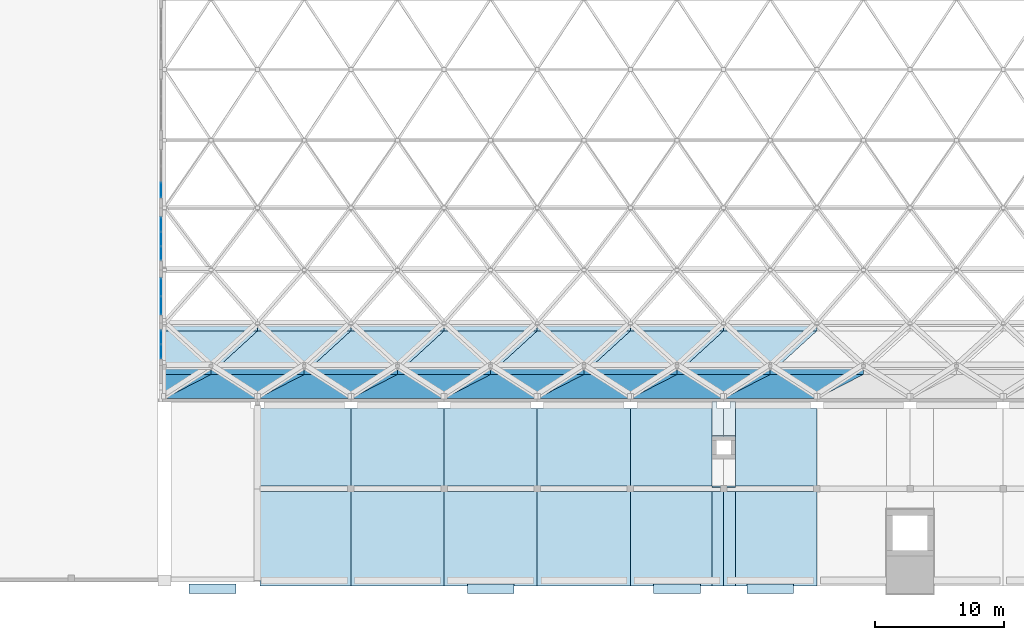
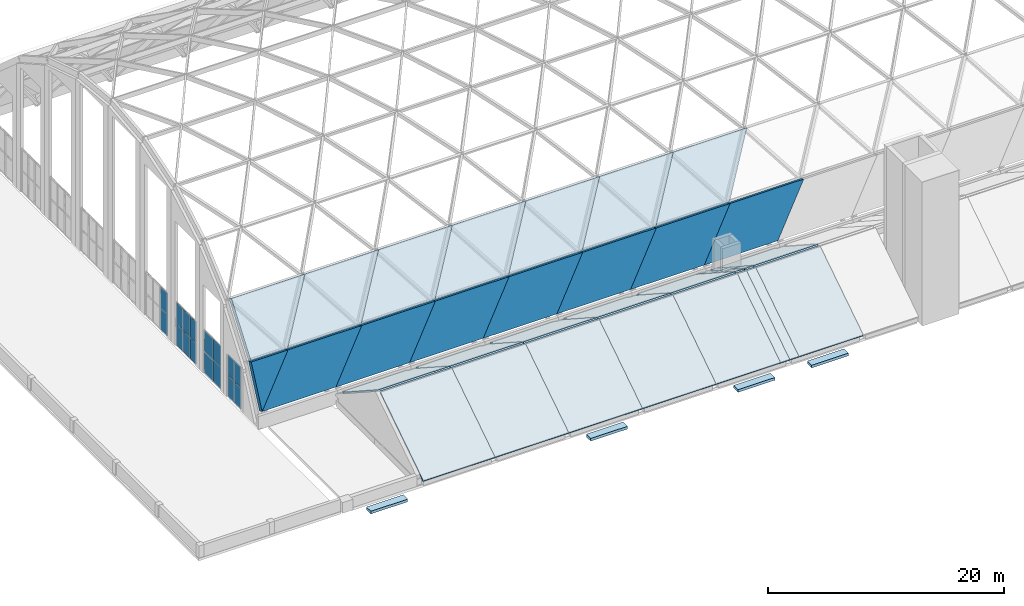
# One storey, part 25 of 52: 37 slabs, 16 plates, 4 elements without a shape of their own.
"""IFC4 building model written with IfcOpenShell, lengths in metres."""

import ifcopenshell
import ifcopenshell.guid

model = None  # the IFC model being written
_history = None  # IfcOwnerHistory: only IFC2X3 demands one
_inside = {}  # id of a spatial element -> (the spatial element, [elements in it])
_under = {}  # id of a project, library or spatial element -> (it, [spatial elements below it])
_declared = {}  # id of a project -> (the project, [libraries it declares])
_typed = {}  # id of a type object -> (the type object, [elements of that type])
_made_of = {}  # id of a material, layer set ... -> (it, [elements and type objects made of it])


def new_model(schema):
    """Start an empty IFC model of exactly this schema.

    Asked for "IFC4X3", IfcOpenShell would pick the latest addendum, in which some entities
    have other attributes; the version numbers below select the first issue.
    IFC2X3 requires an IfcOwnerHistory on every rooted entity: one is made here for all.
    """
    global model, _history
    if schema == "IFC4X3":
        model = ifcopenshell.file(schema_version=(4, 3, 0, 0))
    else:
        model = ifcopenshell.file(schema=schema)
    _inside.clear()
    _under.clear()
    _declared.clear()
    _typed.clear()
    _made_of.clear()
    _history = None
    if model.schema == "IFC2X3":
        org = make("IfcOrganization", Name="unknown")
        user = make(
            "IfcPersonAndOrganization",
            ThePerson=make("IfcPerson", FamilyName="unknown"),
            TheOrganization=org,
        )
        app = make(
            "IfcApplication",
            ApplicationDeveloper=org,
            Version="unknown",
            ApplicationFullName="unknown",
            ApplicationIdentifier="unknown",
        )
        _history = make(
            "IfcOwnerHistory",
            OwningUser=user,
            OwningApplication=app,
            ChangeAction="ADDED",
            CreationDate=0,
        )
    return model


def make(cls, **values):
    """One entity of the class cls with the attributes given. An attribute that is None is left unset."""
    return model.create_entity(
        cls, **{name: value for name, value in values.items() if value is not None}
    )


def rooted(cls, **values):
    """An entity with a GlobalId (a new one), such as an element, a storey or a relation."""
    return make(cls, GlobalId=ifcopenshell.guid.new(), OwnerHistory=_history, **values)


def si_unit(unit_type, name, prefix=None):
    """IfcSIUnit, for example si_unit("LENGTHUNIT", "METRE", prefix="MILLI")."""
    return make("IfcSIUnit", UnitType=unit_type, Prefix=prefix, Name=name)


def assignment(units):
    """IfcUnitAssignment: the units of a project."""
    return None if units is None else make("IfcUnitAssignment", Units=units)


def point(xyz):
    """IfcCartesianPoint."""
    return None if xyz is None else make("IfcCartesianPoint", Coordinates=xyz)


def direction(xyz):
    """IfcDirection."""
    return None if xyz is None else make("IfcDirection", DirectionRatios=xyz)


def frame(location, z_axis=None, x_axis=None):
    """IfcAxis2Placement3D, a coordinate frame: its origin and axes. An axis left out is left unset."""
    return make(
        "IfcAxis2Placement3D",
        Location=point(location),
        Axis=direction(z_axis),
        RefDirection=direction(x_axis),
    )


def frame_2d(location, x_axis=None):
    """IfcAxis2Placement2D, a coordinate frame in the plane: its origin and x axis."""
    return make(
        "IfcAxis2Placement2D", Location=point(location), RefDirection=direction(x_axis)
    )


def origin():
    """The frame at (0, 0, 0) with its axes left unset."""
    return frame((0.0, 0.0, 0.0))


def origin_2d():
    """The frame at (0, 0) in the plane with its x axis left unset."""
    return frame_2d((0.0, 0.0))


def place(relative_to, where):
    """IfcLocalPlacement: puts the frame where relative to a parent placement (None: the world)."""
    return make(
        "IfcLocalPlacement", PlacementRelTo=relative_to, RelativePlacement=where
    )


def context(
    kind, dimensions, precision=None, world=None, true_north=None, identifier=None
):
    """IfcGeometricRepresentationContext, for example the 3D "Model" context."""
    return make(
        "IfcGeometricRepresentationContext",
        ContextIdentifier=identifier,
        ContextType=kind,
        CoordinateSpaceDimension=dimensions,
        Precision=precision,
        WorldCoordinateSystem=world,
        TrueNorth=true_north,
    )


def subcontext(parent, identifier, kind, view, scale=None):
    """IfcGeometricRepresentationSubContext, for example "Body" below "Model"."""
    return make(
        "IfcGeometricRepresentationSubContext",
        ContextIdentifier=identifier,
        ContextType=kind,
        ParentContext=parent,
        TargetScale=scale,
        TargetView=view,
    )


def project(units=None, contexts=None):
    """IfcProject with its units and contexts."""
    return rooted(
        "IfcProject",
        Name="project",
        RepresentationContexts=contexts,
        UnitsInContext=assignment(units),
    )


def spatial(cls, under=None, at=None, **own):
    """A site, building, storey or space (cls), placed at a placement, below another one or the project."""
    s = rooted(cls, ObjectPlacement=at, **own)
    if under is not None:
        _under.setdefault(under.id(), (under, []))[1].append(s)
    return s


def polyline(points):
    """IfcPolyline through the points."""
    return make("IfcPolyline", Points=[point(p) for p in points])


def profile(cls, at=None, kind="AREA", **sizes):
    """A parametric profile (cls). Its sizes go by their IFC names, for example OverallWidth=200.0."""
    return make(cls, ProfileType=kind, Position=at, **sizes)


def rectangle(**sizes):
    """IfcRectangleProfileDef."""
    return profile("IfcRectangleProfileDef", **sizes)


def outline(outer, holes=None, kind="AREA"):
    """IfcArbitraryClosedProfileDef: a profile drawn as a closed curve; with holes, ...WithVoids."""
    if holes is None:
        return make("IfcArbitraryClosedProfileDef", ProfileType=kind, OuterCurve=outer)
    return make(
        "IfcArbitraryProfileDefWithVoids",
        ProfileType=kind,
        OuterCurve=outer,
        InnerCurves=holes,
    )


def extrude(swept, where, along, depth):
    """IfcExtrudedAreaSolid: the profile swept, set in the frame where, extruded along a direction by depth."""
    return make(
        "IfcExtrudedAreaSolid",
        SweptArea=swept,
        Position=where,
        ExtrudedDirection=direction(along),
        Depth=depth,
    )


def shape(context_of_items, identifier, shape_type, items):
    """IfcShapeRepresentation: the items that make up one representation, for example the "Body"."""
    return make(
        "IfcShapeRepresentation",
        ContextOfItems=context_of_items,
        RepresentationIdentifier=identifier,
        RepresentationType=shape_type,
        Items=items,
    )


def material(Name=None, Category=None):
    """IfcMaterial."""
    return make("IfcMaterial", Name=Name, Category=Category)


def layer(
    of_material, thickness, ventilated=None, Name=None, Category=None, Priority=None
):
    """IfcMaterialLayer: one layer of a wall or slab, of a material (None: an air gap)."""
    return make(
        "IfcMaterialLayer",
        Material=of_material,
        LayerThickness=thickness,
        IsVentilated=ventilated,
        Name=Name,
        Category=Category,
        Priority=Priority,
    )


def layer_set(layers, Name=None):
    """IfcMaterialLayerSet."""
    return make("IfcMaterialLayerSet", MaterialLayers=layers, LayerSetName=Name)


def made_of(thing, what):
    """Note that an element or type object is made of a material, layer set ...; save() writes the relation."""
    if what is not None:
        _made_of.setdefault(what.id(), (what, []))[1].append(thing)
    return thing


def type_object(cls, material=None, **own):
    """A type object (cls), such as IfcWallType, which elements share."""
    return made_of(rooted(cls, **own), material)


def element(
    cls,
    number,
    at=None,
    inside=None,
    cuts=None,
    type_object=None,
    material=None,
    context=None,
    identifier="Body",
    shape_type=None,
    held_by="IfcProductDefinitionShape",
    body=None,
    shapes=None,
    **own,
):
    """One element of the class cls, such as IfcWall. Its Tag is "e" and its number.

    at: its placement. inside: the storey or other place that contains it. cuts: it is an
    opening in that element (IfcRelVoidsElement). A single representation is given by context,
    identifier, shape_type and body (its items); several are given by shapes. held_by: the class
    of the entity that holds the representations. save() writes the other relations.
    """
    e = rooted(cls, Tag="e%d" % number, ObjectPlacement=at, **own)
    if body is not None:
        shapes = [shape(context, identifier, shape_type, body)]
    if shapes is not None:
        e.Representation = make(held_by, Representations=shapes)
    if inside is not None:
        _inside.setdefault(inside.id(), (inside, []))[1].append(e)
    if cuts is not None:
        rooted(
            "IfcRelVoidsElement", RelatingBuildingElement=cuts, RelatedOpeningElement=e
        )
    if type_object is not None:
        _typed.setdefault(type_object.id(), (type_object, []))[1].append(e)
    return made_of(e, material)


def aggregate(whole, parts):
    """IfcRelAggregates: a whole, such as a stair, and the parts it consists of."""
    return rooted("IfcRelAggregates", RelatingObject=whole, RelatedObjects=parts)


def save(model, path):
    """Write the relations noted so far, then the file.

    IfcRelAggregates (storeys below a building ...), IfcRelContainedInSpatialStructure (elements
    in a storey), IfcRelDefinesByType, IfcRelAssociatesMaterial and IfcRelDeclares: one each for
    every whole, place, type object, material and project.
    """
    for whole, parts in _under.values():
        aggregate(whole, parts)
    for where, things in _inside.values():
        rooted(
            "IfcRelContainedInSpatialStructure",
            RelatedElements=things,
            RelatingStructure=where,
        )
    for kind, things in _typed.values():
        rooted("IfcRelDefinesByType", RelatedObjects=things, RelatingType=kind)
    for what, things in _made_of.values():
        rooted("IfcRelAssociatesMaterial", RelatedObjects=things, RelatingMaterial=what)
    for by, libraries in _declared.values():
        rooted("IfcRelDeclares", RelatingContext=by, RelatedDefinitions=libraries)
    model.write(path)


model = new_model("IFC4")

# Units and contexts
model_context = context("Model", 3, precision=1e-05, world=origin(), true_north=direction((0.0, 1.0)))
body_context = subcontext(model_context, "Body", "Model", "MODEL_VIEW")
ifc_project = project(units=[si_unit("LENGTHUNIT", "METRE"), si_unit("AREAUNIT", "SQUARE_METRE"), si_unit("VOLUMEUNIT", "CUBIC_METRE"), si_unit("PLANEANGLEUNIT", "RADIAN"), si_unit("MASSUNIT", "GRAM", prefix="KILO")], contexts=[model_context])

# Site, building, storey
site_placement = place(None, origin())
site = spatial("IfcSite", under=ifc_project, at=site_placement, CompositionType="ELEMENT")
building_placement = place(site_placement, origin())
building = spatial("IfcBuilding", under=site, at=building_placement, Name="Vermilion Court Aquatics Centre", CompositionType="ELEMENT")
storey_placement = place(building_placement, frame((0.0, 0.0, 12.0)))
storey = spatial("IfcBuildingStorey", under=building, at=storey_placement, Name="L02", CompositionType="ELEMENT", Elevation=12.0)

# Curtain wall, plates
ifc_material_1 = material(Name="Aluminium 6063-T5", Category="aluminium")
curtain_wall_type = type_object("IfcCurtainWallType", Name="Envelope curtain wall west gable lower runs", PredefinedType="NOTDEFINED", material=ifc_material_1)
curtain_wall_1_placement = place(storey_placement, origin())
curtain_wall_1 = element("IfcCurtainWall", 1, at=curtain_wall_1_placement, inside=storey, type_object=curtain_wall_type, Name="Gable glazing west 2.1", PredefinedType="NOTDEFINED")
ifc_material_2 = material(Name="Glazing", Category="glass")
ifc_layer_1 = layer(ifc_material_2, 0.050048828125)
ifc_layer_set_1 = layer_set([ifc_layer_1], Name="Envelope triple glazing panel 50")
plate_type = type_object("IfcPlateType", Name="Envelope triple glazing panel 50", PredefinedType="CURTAIN_PANEL", material=ifc_layer_set_1)
plate_1_placement = place(storey_placement, frame((14.125, 17.802490234375, 0.06005859375), z_axis=(0.0, 0.0, 1.0), x_axis=(0.0, 1.0, 0.0)))
plate_1 = element("IfcPlate", 2, at=plate_1_placement, type_object=plate_type, Name="ECW3 panel 1.1", PredefinedType="CURTAIN_PANEL", context=body_context, shape_type="SweptSolid", body=[
    extrude(rectangle(XDim=1.044921875, YDim=0.050048828125, at=origin_2d()), origin(), (0.0, 0.0, 1.0), 2.128173828125),
])
plate_2_placement = place(storey_placement, frame((14.125, 17.802490234375, 2.248046875), z_axis=(0.0, 0.0, 1.0), x_axis=(0.0, 1.0, 0.0)))
plate_2 = element("IfcPlate", 3, at=plate_2_placement, type_object=plate_type, Name="ECW3 panel 1.2", PredefinedType="CURTAIN_PANEL", context=body_context, shape_type="SweptSolid", body=[
    extrude(rectangle(XDim=1.044921875, YDim=0.050048828125, at=origin_2d()), origin(), (0.0, 0.0, 1.0), 2.128173828125),
])
plate_3_placement = place(storey_placement, frame((14.125, 18.907470703125, 0.06005859375), z_axis=(0.0, 0.0, 1.0), x_axis=(0.0, 1.0, 0.0)))
plate_3 = element("IfcPlate", 4, at=plate_3_placement, type_object=plate_type, Name="ECW3 panel 2.1", PredefinedType="CURTAIN_PANEL", context=body_context, shape_type="SweptSolid", body=[
    extrude(rectangle(XDim=1.044921875, YDim=0.050048828125, at=origin_2d()), origin(), (0.0, 0.0, 1.0), 2.128173828125),
])
plate_4_placement = place(storey_placement, frame((14.125, 18.907470703125, 2.248046875), z_axis=(0.0, 0.0, 1.0), x_axis=(0.0, 1.0, 0.0)))
plate_4 = element("IfcPlate", 5, at=plate_4_placement, type_object=plate_type, Name="ECW3 panel 2.2", PredefinedType="CURTAIN_PANEL", context=body_context, shape_type="SweptSolid", body=[
    extrude(rectangle(XDim=1.044921875, YDim=0.050048828125, at=origin_2d()), origin(), (0.0, 0.0, 1.0), 2.128173828125),
])
aggregate(curtain_wall_1, [plate_1, plate_2, plate_3, plate_4])

curtain_wall_2_placement = place(storey_placement, origin())
curtain_wall_2 = element("IfcCurtainWall", 6, at=curtain_wall_2_placement, inside=storey, type_object=curtain_wall_type, Name="Gable glazing west 3.1", PredefinedType="NOTDEFINED")
plate_5_placement = place(storey_placement, frame((14.125, 21.35498046875, 0.06005859375), z_axis=(0.0, 0.0, 1.0), x_axis=(0.0, 1.0, 0.0)))
plate_5 = element("IfcPlate", 7, at=plate_5_placement, type_object=plate_type, Name="ECW3 panel 1.1", PredefinedType="CURTAIN_PANEL", context=body_context, shape_type="SweptSolid", body=[
    extrude(rectangle(XDim=1.35009765625, YDim=0.050048828125, at=origin_2d()), origin(), (0.0, 0.0, 1.0), 2.159912109375),
])
plate_6_placement = place(storey_placement, frame((14.125, 21.35498046875, 2.2802734375), z_axis=(0.0, 0.0, 1.0), x_axis=(0.0, 1.0, 0.0)))
plate_6 = element("IfcPlate", 8, at=plate_6_placement, type_object=plate_type, Name="ECW3 panel 1.2", PredefinedType="CURTAIN_PANEL", context=body_context, shape_type="SweptSolid", body=[
    extrude(rectangle(XDim=1.35009765625, YDim=0.050048828125, at=origin_2d()), origin(), (0.0, 0.0, 1.0), 2.159912109375),
])
plate_7_placement = place(storey_placement, frame((14.125, 22.764892578125, 0.06005859375), z_axis=(0.0, 0.0, 1.0), x_axis=(0.0, 1.0, 0.0)))
plate_7 = element("IfcPlate", 9, at=plate_7_placement, type_object=plate_type, Name="ECW3 panel 2.1", PredefinedType="CURTAIN_PANEL", context=body_context, shape_type="SweptSolid", body=[
    extrude(rectangle(XDim=1.35009765625, YDim=0.050048828125, at=origin_2d()), origin(), (0.0, 0.0, 1.0), 2.159912109375),
])
plate_8_placement = place(storey_placement, frame((14.125, 22.764892578125, 2.2802734375), z_axis=(0.0, 0.0, 1.0), x_axis=(0.0, 1.0, 0.0)))
plate_8 = element("IfcPlate", 10, at=plate_8_placement, type_object=plate_type, Name="ECW3 panel 2.2", PredefinedType="CURTAIN_PANEL", context=body_context, shape_type="SweptSolid", body=[
    extrude(rectangle(XDim=1.35009765625, YDim=0.050048828125, at=origin_2d()), origin(), (0.0, 0.0, 1.0), 2.159912109375),
])
aggregate(curtain_wall_2, [plate_5, plate_6, plate_7, plate_8])

curtain_wall_3_placement = place(storey_placement, origin())
curtain_wall_3 = element("IfcCurtainWall", 11, at=curtain_wall_3_placement, inside=storey, type_object=curtain_wall_type, Name="Gable glazing west 4.1", PredefinedType="NOTDEFINED")
plate_9_placement = place(storey_placement, frame((14.125, 25.3984375, 0.06005859375), z_axis=(0.0, 0.0, 1.0), x_axis=(0.0, 1.0, 0.0)))
plate_9 = element("IfcPlate", 12, at=plate_9_placement, type_object=plate_type, Name="ECW3 panel 1.1", PredefinedType="CURTAIN_PANEL", context=body_context, shape_type="SweptSolid", body=[
    extrude(rectangle(XDim=1.03662109375, YDim=0.050048828125, at=origin_2d()), origin(), (0.0, 0.0, 1.0), 2.159912109375),
])
plate_10_placement = place(storey_placement, frame((14.125, 25.3984375, 2.2802734375), z_axis=(0.0, 0.0, 1.0), x_axis=(0.0, 1.0, 0.0)))
plate_10 = element("IfcPlate", 13, at=plate_10_placement, type_object=plate_type, Name="ECW3 panel 1.2", PredefinedType="CURTAIN_PANEL", context=body_context, shape_type="SweptSolid", body=[
    extrude(rectangle(XDim=1.03662109375, YDim=0.050048828125, at=origin_2d()), origin(), (0.0, 0.0, 1.0), 2.159912109375),
])
plate_11_placement = place(storey_placement, frame((14.125, 26.510009765625, 0.06005859375), z_axis=(0.0, 0.0, 1.0), x_axis=(0.0, 1.0, 0.0)))
plate_11 = element("IfcPlate", 14, at=plate_11_placement, type_object=plate_type, Name="ECW3 panel 2.1", PredefinedType="CURTAIN_PANEL", context=body_context, shape_type="SweptSolid", body=[
    extrude(rectangle(XDim=1.066650390625, YDim=0.050048828125, at=origin_2d()), origin(), (0.0, 0.0, 1.0), 2.159912109375),
])
plate_12_placement = place(storey_placement, frame((14.125, 26.510009765625, 2.2802734375), z_axis=(0.0, 0.0, 1.0), x_axis=(0.0, 1.0, 0.0)))
plate_12 = element("IfcPlate", 15, at=plate_12_placement, type_object=plate_type, Name="ECW3 panel 2.2", PredefinedType="CURTAIN_PANEL", context=body_context, shape_type="SweptSolid", body=[
    extrude(rectangle(XDim=1.066650390625, YDim=0.050048828125, at=origin_2d()), origin(), (0.0, 0.0, 1.0), 2.159912109375),
])
plate_13_placement = place(storey_placement, frame((14.125, 27.62158203125, 0.06005859375), z_axis=(0.0, 0.0, 1.0), x_axis=(0.0, 1.0, 0.0)))
plate_13 = element("IfcPlate", 16, at=plate_13_placement, type_object=plate_type, Name="ECW3 panel 3.1", PredefinedType="CURTAIN_PANEL", context=body_context, shape_type="SweptSolid", body=[
    extrude(rectangle(XDim=1.03662109375, YDim=0.050048828125, at=origin_2d()), origin(), (0.0, 0.0, 1.0), 2.159912109375),
])
plate_14_placement = place(storey_placement, frame((14.125, 27.62158203125, 2.2802734375), z_axis=(0.0, 0.0, 1.0), x_axis=(0.0, 1.0, 0.0)))
plate_14 = element("IfcPlate", 17, at=plate_14_placement, type_object=plate_type, Name="ECW3 panel 3.2", PredefinedType="CURTAIN_PANEL", context=body_context, shape_type="SweptSolid", body=[
    extrude(rectangle(XDim=1.03662109375, YDim=0.050048828125, at=origin_2d()), origin(), (0.0, 0.0, 1.0), 2.159912109375),
])
aggregate(curtain_wall_3, [plate_9, plate_10, plate_11, plate_12, plate_13, plate_14])

curtain_wall_4_placement = place(storey_placement, origin())
curtain_wall_4 = element("IfcCurtainWall", 18, at=curtain_wall_4_placement, inside=storey, type_object=curtain_wall_type, Name="Gable glazing west 5.1", PredefinedType="NOTDEFINED")
plate_15_placement = place(storey_placement, frame((14.125, 30.28662109375, 0.06005859375), z_axis=(0.0, 0.0, 1.0), x_axis=(0.0, 1.0, 0.0)))
plate_15 = element("IfcPlate", 19, at=plate_15_placement, type_object=plate_type, Name="ECW3 panel 1.1", PredefinedType="CURTAIN_PANEL", context=body_context, shape_type="SweptSolid", body=[
    extrude(rectangle(XDim=1.1533203125, YDim=0.050048828125, at=origin_2d()), origin(), (0.0, 0.0, 1.0), 2.159912109375),
])
plate_16_placement = place(storey_placement, frame((14.125, 30.28662109375, 2.2802734375), z_axis=(0.0, 0.0, 1.0), x_axis=(0.0, 1.0, 0.0)))
plate_16 = element("IfcPlate", 20, at=plate_16_placement, type_object=plate_type, Name="ECW3 panel 1.2", PredefinedType="CURTAIN_PANEL", context=body_context, shape_type="SweptSolid", body=[
    extrude(rectangle(XDim=1.1533203125, YDim=0.050048828125, at=origin_2d()), origin(), (0.0, 0.0, 1.0), 2.159912109375),
])
aggregate(curtain_wall_4, [plate_15, plate_16])

# Slabs
ifc_material_3 = material(Name="Zinc standing seam sheet", Category="metal")
ifc_layer_2 = layer(ifc_material_3, 0.5)
ifc_layer_set_2 = layer_set([ifc_layer_2], Name="Roof insulated cover panel")
slab_type_1 = type_object("IfcSlabType", Name="Roof insulated cover panel", PredefinedType="ROOF", material=ifc_layer_set_2)
slab_1_placement = place(storey_placement, frame((14.39990234375, 14.179931640625, 1.556640625), z_axis=(0.0, -0.907449295739, 0.420161606603), x_axis=(0.632863554631, 0.325315729289, 0.702604723509)))
element("IfcSlab", 21, at=slab_1_placement, inside=storey, type_object=slab_type_1, Name="Roof panel RP-00-00", PredefinedType="ROOF", context=body_context, shape_type="SweptSolid", body=[
    extrude(outline(polyline([(0.0, 0.0), (5.688584261026153, 4.440892098500626e-16), (3.4102136612736613, 2.7874236392626464), (0.0, 0.0)])), origin(), (0.0, 0.0, -1.0), 0.5),
])
slab_2_placement = place(storey_placement, frame((14.39990234375, 14.179931640625, 1.556640625), z_axis=(0.0, -0.907449295739, 0.420161606603), x_axis=(1.0, 0.0, 0.0)))
element("IfcSlab", 22, at=slab_2_placement, inside=storey, type_object=slab_type_1, Name="Roof panel RP-00-01", PredefinedType="ROOF", context=body_context, shape_type="SweptSolid", body=[
    extrude(outline(polyline([(0.0, 0.0), (7.2001953125, 0.0), (10.800048828125, 4.404462255515163), (3.60009765625, 4.404462255515163), (0.0, 0.0)])), origin(), (0.0, 0.0, -1.0), 0.5),
])
slab_3_placement = place(storey_placement, frame((21.60009765625, 14.179931640625, 1.556640625), z_axis=(0.0, -0.907449295739, 0.420161606603), x_axis=(1.0, 0.0, 0.0)))
element("IfcSlab", 23, at=slab_3_placement, inside=storey, type_object=slab_type_1, Name="Roof panel RP-00-02", PredefinedType="ROOF", context=body_context, shape_type="SweptSolid", body=[
    extrude(outline(polyline([(0.0, 0.0), (7.199951171875, 0.0), (10.7998046875, 4.404462255515163), (3.599853515625, 4.404462255515163), (0.0, 0.0)])), origin(), (0.0, 0.0, -1.0), 0.5),
])
slab_4_placement = place(storey_placement, frame((28.800048828125, 14.179931640625, 1.556640625), z_axis=(0.0, -0.907449295739, 0.420161606603), x_axis=(1.0, 0.0, 0.0)))
element("IfcSlab", 24, at=slab_4_placement, inside=storey, type_object=slab_type_1, Name="Roof panel RP-00-03", PredefinedType="ROOF", context=body_context, shape_type="SweptSolid", body=[
    extrude(outline(polyline([(0.0, 0.0), (7.199951171875, 0.0), (10.800048828125, 4.404462255515163), (3.599853515625, 4.404462255515163), (0.0, 0.0)])), origin(), (0.0, 0.0, -1.0), 0.5),
])
for number, where, z_axis, x_axis, name in (
    (25, (36.0, 14.179931640625, 1.556640625), (0.0, -0.907449295739, 0.420161606603), (1.0, 0.0, 0.0), "Roof panel RP-00-04"),
    (26, (43.199951171875, 14.179931640625, 1.556640625), (0.0, -0.907449295739, 0.420161606603), (1.0, 0.0, 0.0), "Roof panel RP-00-05"),
):
    element("IfcSlab", number, at=place(storey_placement, frame(where, z_axis=z_axis, x_axis=x_axis)), inside=storey, type_object=slab_type_1, Name=name, PredefinedType="ROOF", context=body_context, shape_type="SweptSolid", body=[
        extrude(outline(polyline([(0.0, 0.0), (7.199951171875, 0.0), (10.800048828125, 4.404462255515163), (3.60009765625, 4.404462255515163), (0.0, 0.0)])), origin(), (0.0, 0.0, -1.0), 0.5),
    ])
slab_5_placement = place(storey_placement, frame((50.39990234375, 14.179931640625, 1.556640625), z_axis=(0.0, -0.907449295739, 0.420161606603), x_axis=(1.0, 0.0, 0.0)))
element("IfcSlab", 27, at=slab_5_placement, inside=storey, type_object=slab_type_1, Name="Roof panel RP-00-06", PredefinedType="ROOF", context=body_context, shape_type="SweptSolid", body=[
    extrude(outline(polyline([(0.0, 0.0), (7.2001953125, 0.0), (10.800048828125, 4.404462255515163), (3.60009765625, 4.404462255515163), (0.0, 0.0)])), origin(), (0.0, 0.0, -1.0), 0.5),
])
slab_6_placement = place(storey_placement, frame((57.60009765625, 14.179931640625, 1.556640625), z_axis=(0.0, -0.907449295739, 0.420161606603), x_axis=(1.0, 0.0, 0.0)))
element("IfcSlab", 28, at=slab_6_placement, inside=storey, type_object=slab_type_1, Name="Roof panel RP-00-07", PredefinedType="ROOF", context=body_context, shape_type="SweptSolid", body=[
    extrude(outline(polyline([(0.0, 0.0), (7.199951171875, 0.0), (10.7998046875, 4.404462255515163), (3.599853515625, 4.404462255515163), (0.0, 0.0)])), origin(), (0.0, 0.0, -1.0), 0.5),
])
slab_7_placement = place(storey_placement, frame((14.39990234375, 16.10986328125, 5.6865234375), z_axis=(0.0, -0.801705287013, 0.597719526848), x_axis=(1.0, 0.0, 0.0)))
element("IfcSlab", 29, at=slab_7_placement, inside=storey, type_object=slab_type_1, Name="Roof panel RP-01-00", PredefinedType="ROOF", context=body_context, shape_type="SweptSolid", body=[
    extrude(outline(polyline([(0.0, 0.0), (3.60009765625, 0.0), (7.2001953125, 5.50431919105559), (0.0, 5.50431919105559), (0.0, 0.0)])), origin(), (0.0, 0.0, -1.0), 0.5),
])
for number, where, z_axis, x_axis, name in (
    (30, (18.0, 16.10986328125, 5.6865234375), (0.0, -0.801705287013, 0.597719526848), (1.0, 0.0, 0.0), "Roof panel RP-01-01"),
    (31, (25.199951171875, 16.10986328125, 5.6865234375), (0.0, -0.801705287013, 0.597719526848), (1.0, 0.0, 0.0), "Roof panel RP-01-02"),
):
    element("IfcSlab", number, at=place(storey_placement, frame(where, z_axis=z_axis, x_axis=x_axis)), inside=storey, type_object=slab_type_1, Name=name, PredefinedType="ROOF", context=body_context, shape_type="SweptSolid", body=[
        extrude(outline(polyline([(0.0, 0.0), (7.199951171875, 0.0), (10.800048828125, 5.50431919105559), (3.60009765625, 5.50431919105559), (0.0, 0.0)])), origin(), (0.0, 0.0, -1.0), 0.5),
    ])
slab_8_placement = place(storey_placement, frame((32.39990234375, 16.10986328125, 5.6865234375), z_axis=(0.0, -0.801705287013, 0.597719526848), x_axis=(1.0, 0.0, 0.0)))
element("IfcSlab", 32, at=slab_8_placement, inside=storey, type_object=slab_type_1, Name="Roof panel RP-01-03", PredefinedType="ROOF", context=body_context, shape_type="SweptSolid", body=[
    extrude(outline(polyline([(0.0, 0.0), (7.2001953125, 0.0), (10.800048828125, 5.504319191055588), (3.60009765625, 5.504319191055588), (0.0, 0.0)])), origin(), (0.0, 0.0, -1.0), 0.5),
])
slab_9_placement = place(storey_placement, frame((39.60009765625, 16.10986328125, 5.6865234375), z_axis=(0.0, -0.801705287013, 0.597719526848), x_axis=(1.0, 0.0, 0.0)))
element("IfcSlab", 33, at=slab_9_placement, inside=storey, type_object=slab_type_1, Name="Roof panel RP-01-04", PredefinedType="ROOF", context=body_context, shape_type="SweptSolid", body=[
    extrude(outline(polyline([(0.0, 0.0), (7.199951171875, 0.0), (10.7998046875, 5.50431919105559), (3.599853515625, 5.50431919105559), (0.0, 0.0)])), origin(), (0.0, 0.0, -1.0), 0.5),
])
slab_10_placement = place(storey_placement, frame((46.800048828125, 16.10986328125, 5.6865234375), z_axis=(0.0, -0.801705287013, 0.597719526848), x_axis=(1.0, 0.0, 0.0)))
element("IfcSlab", 34, at=slab_10_placement, inside=storey, type_object=slab_type_1, Name="Roof panel RP-01-05", PredefinedType="ROOF", context=body_context, shape_type="SweptSolid", body=[
    extrude(outline(polyline([(0.0, 0.0), (7.199951171875, 0.0), (10.800048828125, 5.504319191055588), (3.599853515625, 5.504319191055588), (0.0, 0.0)])), origin(), (0.0, 0.0, -1.0), 0.5),
])
slab_11_placement = place(storey_placement, frame((54.0, 16.10986328125, 5.6865234375), z_axis=(0.0, -0.801705287013, 0.597719526848), x_axis=(1.0, 0.0, 0.0)))
element("IfcSlab", 35, at=slab_11_placement, inside=storey, type_object=slab_type_1, Name="Roof panel RP-01-06", PredefinedType="ROOF", context=body_context, shape_type="SweptSolid", body=[
    extrude(outline(polyline([(0.0, 0.0), (7.199951171875, 0.0), (10.800048828125, 5.50431919105559), (3.60009765625, 5.50431919105559), (0.0, 0.0)])), origin(), (0.0, 0.0, -1.0), 0.5),
])
ifc_material_4 = material(Name="Concrete 5000 psi", Category="concrete")
ifc_layer_3 = layer(ifc_material_4, 0.27490234375)
ifc_layer_set_3 = layer_set([ifc_layer_3], Name="South bay roof slab 275")
slab_type_2 = type_object("IfcSlabType", Name="South bay roof slab 275", PredefinedType="ROOF", material=ifc_layer_set_3)
slab_12_placement = place(storey_placement, frame((0.0, 0.0, -0.550048828125)))
element("IfcSlab", 36, at=slab_12_placement, inside=storey, type_object=slab_type_2, Name="South bay roof slab", PredefinedType="ROOF", context=body_context, shape_type="SweptSolid", body=[
    extrude(outline(polyline([(16.31298828125, -0.89990234375), (19.9130859375, -0.89990234375), (19.9130859375, -0.14990234375), (16.31298828125, -0.14990234375), (16.31298828125, -0.89990234375)])), origin(), (0.0, 0.0, 1.0), 0.275146484375),
])
slab_13_placement = place(storey_placement, frame((0.0, 0.0, -0.550048828125)))
element("IfcSlab", 37, at=slab_13_placement, inside=storey, type_object=slab_type_2, Name="South bay roof slab", PredefinedType="ROOF", context=body_context, shape_type="SweptSolid", body=[
    extrude(outline(polyline([(37.800048828125, -0.89990234375), (41.39990234375, -0.89990234375), (41.39990234375, -0.14990234375), (37.800048828125, -0.14990234375), (37.800048828125, -0.89990234375)])), origin(), (0.0, 0.0, 1.0), 0.275146484375),
])
slab_14_placement = place(storey_placement, frame((0.0, 0.0, -0.550048828125)))
element("IfcSlab", 38, at=slab_14_placement, inside=storey, type_object=slab_type_2, Name="South oriel roof slab", PredefinedType="ROOF", context=body_context, shape_type="SweptSolid", body=[
    extrude(outline(polyline([(52.199951171875, -0.89990234375), (55.800048828125, -0.89990234375), (55.800048828125, -0.14990234375), (52.199951171875, -0.14990234375), (52.199951171875, -0.89990234375)])), origin(), (0.0, 0.0, 1.0), 0.275146484375),
])
slab_15_placement = place(storey_placement, frame((0.0, 0.0, -0.550048828125)))
element("IfcSlab", 39, at=slab_15_placement, inside=storey, type_object=slab_type_2, Name="South oriel roof slab", PredefinedType="ROOF", context=body_context, shape_type="SweptSolid", body=[
    extrude(outline(polyline([(59.39990234375, -0.89990234375), (63.0, -0.89990234375), (63.0, -0.14990234375), (59.39990234375, -0.14990234375), (59.39990234375, -0.89990234375)])), origin(), (0.0, 0.0, 1.0), 0.275146484375),
])
ifc_material_5 = material(Name="Concrete 4000 psi", Category="concrete")
ifc_layer_4 = layer(ifc_material_5, 0.159912109375)
ifc_layer_set_4 = layer_set([ifc_layer_4], Name="South roof slab terracotta tiled 160")
slab_type_3 = type_object("IfcSlabType", Name="South roof slab terracotta tiled 160", PredefinedType="ROOF", material=ifc_layer_set_4)
slab_16_placement = place(storey_placement, frame((21.800048828125, -0.300048828125, 0.579345703125), z_axis=(0.0, -0.544640288858, 0.838669753689), x_axis=(0.0, 0.838669753689, 0.544640288858)))
element("IfcSlab", 40, at=slab_16_placement, inside=storey, type_object=slab_type_3, Name="South roof slab", PredefinedType="ROOF", context=body_context, shape_type="SweptSolid", body=[
    extrude(outline(polyline([(0.0, 0.0), (8.704318709496524, 0.0), (8.704318709496524, -7.0), (0.0, -7.0), (0.0, 0.0)])), origin(), (0.0, 0.0, -1.0), 0.159912109375),
])
for number, where, z_axis, x_axis, name in (
    (41, (28.800048828125, -0.300048828125, 0.579345703125), (0.0, -0.544640288858, 0.838669753689), (0.0, 0.838669753689, 0.544640288858), "South roof slab"),
    (42, (36.0, -0.300048828125, 0.579345703125), (0.0, -0.544640288858, 0.838669753689), (0.0, 0.838669753689, 0.544640288858), "South roof slab"),
    (43, (43.199951171875, -0.300048828125, 0.579345703125), (0.0, -0.544640288858, 0.838669753689), (0.0, 0.838669753689, 0.544640288858), "South roof slab"),
):
    element("IfcSlab", number, at=place(storey_placement, frame(where, z_axis=z_axis, x_axis=x_axis)), inside=storey, type_object=slab_type_3, Name=name, PredefinedType="ROOF", context=body_context, shape_type="SweptSolid", body=[
        extrude(outline(polyline([(0.0, 0.0), (8.704318709496524, 0.0), (8.704318709496524, -7.199951171875), (0.0, -7.199951171875), (0.0, 0.0)])), origin(), (0.0, 0.0, -1.0), 0.159912109375),
    ])
slab_17_placement = place(storey_placement, frame((50.39990234375, -0.300048828125, 0.579345703125), z_axis=(0.0, -0.544640288858, 0.838669753689), x_axis=(0.0, 0.838669753689, 0.544640288858)))
element("IfcSlab", 44, at=slab_17_placement, inside=storey, type_object=slab_type_3, Name="South roof slab", PredefinedType="ROOF", context=body_context, shape_type="SweptSolid", body=[
    extrude(outline(polyline([(0.0, 0.0), (8.704318709496524, 0.0), (8.704318709496524, -6.300048828125), (0.0, -6.300048828125), (0.0, 0.0)])), origin(), (0.0, 0.0, -1.0), 0.159912109375),
])
slab_18_placement = place(storey_placement, frame((56.699951171875, -0.300048828125, 0.579345703125), z_axis=(0.0, -0.544640288858, 0.838669753689), x_axis=(0.0, 0.838669753689, 0.544640288858)))
element("IfcSlab", 45, at=slab_18_placement, inside=storey, type_object=slab_type_3, Name="South roof slab", PredefinedType="ROOF", context=body_context, shape_type="SweptSolid", body=[
    extrude(outline(polyline([(0.0, 0.0), (8.704318709496524, 0.0), (8.704318709496524, -0.900146484375), (0.0, -0.900146484375), (0.0, 0.0)])), origin(), (0.0, 0.0, -1.0), 0.159912109375),
])
slab_19_placement = place(storey_placement, frame((57.60009765625, -0.300048828125, 0.579345703125), z_axis=(0.0, -0.544640288858, 0.838669753689), x_axis=(0.0, 0.838669753689, 0.544640288858)))
element("IfcSlab", 46, at=slab_19_placement, inside=storey, type_object=slab_type_3, Name="South roof slab", PredefinedType="ROOF", context=body_context, shape_type="SweptSolid", body=[
    extrude(outline(polyline([(0.0, 0.0), (8.704318709496524, 0.0), (8.704318709496524, -0.89990234375), (0.0, -0.89990234375), (0.0, 0.0)])), origin(), (0.0, 0.0, -1.0), 0.159912109375),
])
slab_20_placement = place(storey_placement, frame((58.5, -0.300048828125, 0.579345703125), z_axis=(0.0, -0.544640288858, 0.838669753689), x_axis=(0.0, 0.838669753689, 0.544640288858)))
element("IfcSlab", 47, at=slab_20_placement, inside=storey, type_object=slab_type_3, Name="South roof slab", PredefinedType="ROOF", context=body_context, shape_type="SweptSolid", body=[
    extrude(outline(polyline([(0.0, 0.0), (8.704318709496524, 0.0), (8.704318709496524, -6.300048828125), (0.0, -6.300048828125), (0.0, 0.0)])), origin(), (0.0, 0.0, -1.0), 0.159912109375),
])
slab_21_placement = place(storey_placement, frame((28.800048828125, 7.39990234375, 5.320068359375), z_axis=(0.0, 0.54464029734, 0.83866974818), x_axis=(-1.0, 0.0, 0.0)))
element("IfcSlab", 48, at=slab_21_placement, inside=storey, type_object=slab_type_3, Name="South roof slab", PredefinedType="ROOF", context=body_context, shape_type="SweptSolid", body=[
    extrude(outline(polyline([(0.0, 0.0), (7.0, 0.0), (7.0, -7.15420089766457), (6.699951171875, -7.15420089766457), (6.699951171875, -7.810043597288452), (0.5, -7.810043597288452), (0.5, -7.15420089766457), (0.0, -7.15420089766457), (0.0, 0.0)])), origin(), (0.0, 0.0, -1.0), 0.159912109375),
])
for number, where, z_axis, x_axis, name in (
    (49, (36.0, 7.39990234375, 5.320068359375), (0.0, 0.544640363075, 0.838669705492), (-1.0, 0.0, 0.0), "South roof slab"),
    (50, (43.199951171875, 7.39990234375, 5.320068359375), (0.0, 0.544640363075, 0.838669705492), (-1.0, 0.0, 0.0), "South roof slab"),
    (51, (50.39990234375, 7.39990234375, 5.320068359375), (0.0, 0.544640363075, 0.838669705492), (-1.0, 0.0, 0.0), "South roof slab"),
):
    element("IfcSlab", number, at=place(storey_placement, frame(where, z_axis=z_axis, x_axis=x_axis)), inside=storey, type_object=slab_type_3, Name=name, PredefinedType="ROOF", context=body_context, shape_type="SweptSolid", body=[
        extrude(outline(polyline([(0.0, 0.0), (7.199951171875, 0.0), (7.199951171875, -7.154200897666255), (6.699951171875, -7.154200897666255), (6.699951171875, -7.8100435972882085), (0.5, -7.8100435972882085), (0.5, -7.154200897666255), (0.0, -7.154200897666255), (0.0, 0.0)])), origin(), (0.0, 0.0, -1.0), 0.159912109375),
    ])
slab_22_placement = place(storey_placement, frame((56.699951171875, 7.39990234375, 5.320068359375), z_axis=(-1.946344e-06, 0.544640204465, 0.838669808492), x_axis=(-0.999999999998, -1.060057e-06, -1.63234e-06)))
element("IfcSlab", 52, at=slab_22_placement, inside=storey, type_object=slab_type_3, Name="South roof slab", PredefinedType="ROOF", context=body_context, shape_type="SweptSolid", body=[
    extrude(outline(polyline([(0.0, 0.0), (6.300048828113066, -6.6704361584159e-22), (6.300048828157011, -7.154200897662113), (5.8000488281579585, -7.154200897662113), (5.800048828110226, -7.8100435972887166), (-3.7882565719738566e-12, -7.8100435972887166), (0.0, 0.0)])), origin(), (0.0, 0.0, -1.0), 0.159912109375),
])
slab_23_placement = place(storey_placement, frame((57.60009765625, 7.39990234375, 5.320068359375), z_axis=(0.0, 0.544625037197, 0.838679658069), x_axis=(-1.0, 0.0, 0.0)))
element("IfcSlab", 53, at=slab_23_placement, inside=storey, type_object=slab_type_3, Name="South roof slab", PredefinedType="ROOF", context=body_context, shape_type="SweptSolid", body=[
    extrude(outline(polyline([(0.0, 0.0), (0.900146484375, 0.0), (0.900146484375, -2.504052215939713), (0.0, -2.504052215939713), (0.0, 0.0)])), origin(), (0.0, 0.0, -1.0), 0.159912109375),
])
slab_24_placement = place(storey_placement, frame((57.60009765625, 11.300048828125, 2.787353515625), z_axis=(2.3628548e-05, 0.544663240042, 0.838654848188), x_axis=(-0.999999999721, 1.2869602e-05, 1.9816197e-05)))
element("IfcSlab", 54, at=slab_24_placement, inside=storey, type_object=slab_type_3, Name="South roof slab", PredefinedType="ROOF", context=body_context, shape_type="SweptSolid", body=[
    extrude(outline(polyline([(0.0, 0.0), (0.9001464841237203, 0.0), (0.9001464846820286, -3.1596901623285154), (0.5000000004187312, -3.1596901623285154), (0.4999999994136127, -2.5038474636229218), (-4.468101994417454e-10, -2.5038474636229218), (0.0, 0.0)])), origin(), (0.0, 0.0, -1.0), 0.159912109375),
])
slab_25_placement = place(storey_placement, frame((58.5, 7.39990234375, 5.320068359375), z_axis=(0.0, 0.544625037197, 0.838679658069), x_axis=(-1.0, 0.0, 0.0)))
element("IfcSlab", 55, at=slab_25_placement, inside=storey, type_object=slab_type_3, Name="South roof slab", PredefinedType="ROOF", context=body_context, shape_type="SweptSolid", body=[
    extrude(outline(polyline([(0.0, 0.0), (0.89990234375, 0.0), (0.89990234375, -2.504052215939713), (0.0, -2.504052215939713), (0.0, 0.0)])), origin(), (0.0, 0.0, -1.0), 0.159912109375),
])
slab_26_placement = place(storey_placement, frame((58.5, 13.949951171875, 1.06640625), z_axis=(-2.3635794e-05, 0.544663241965, 0.838654846939), x_axis=(-1.77e-10, -0.838654847173, 0.544663242117)))
element("IfcSlab", 56, at=slab_26_placement, inside=storey, type_object=slab_type_3, Name="South roof slab", PredefinedType="ROOF", context=body_context, shape_type="SweptSolid", body=[
    extrude(outline(polyline([(0.0, 0.0), (3.1596901623284612, 0.0), (3.159690162487569, -0.8999023434986345), (0.6558426988646038, -0.8999023443881401), (0.655842698776201, -0.39990234452780277), (7.070495526848455e-11, -0.39990234363829713), (0.0, 0.0)])), origin(), (0.0, 0.0, -1.0), 0.159912109375),
])
slab_27_placement = place(storey_placement, frame((64.800048828125, 7.39990234375, 5.320068359375), z_axis=(1.946344e-06, 0.544640204465, 0.838669808492), x_axis=(-0.999999999998, 1.060057e-06, 1.63234e-06)))
element("IfcSlab", 57, at=slab_27_placement, inside=storey, type_object=slab_type_3, Name="South roof slab", PredefinedType="ROOF", context=body_context, shape_type="SweptSolid", body=[
    extrude(outline(polyline([(0.0, 0.0), (6.300048828113066, 6.6704361584159e-22), (6.3000488281168545, -7.8100435972887166), (0.5000000000028412, -7.8100435972887166), (0.49999999995510874, -7.154200897662113), (-4.394414617602823e-11, -7.154200897662113), (0.0, 0.0)])), origin(), (0.0, 0.0, -1.0), 0.159912109375),
])

save(model, "model.ifc")
